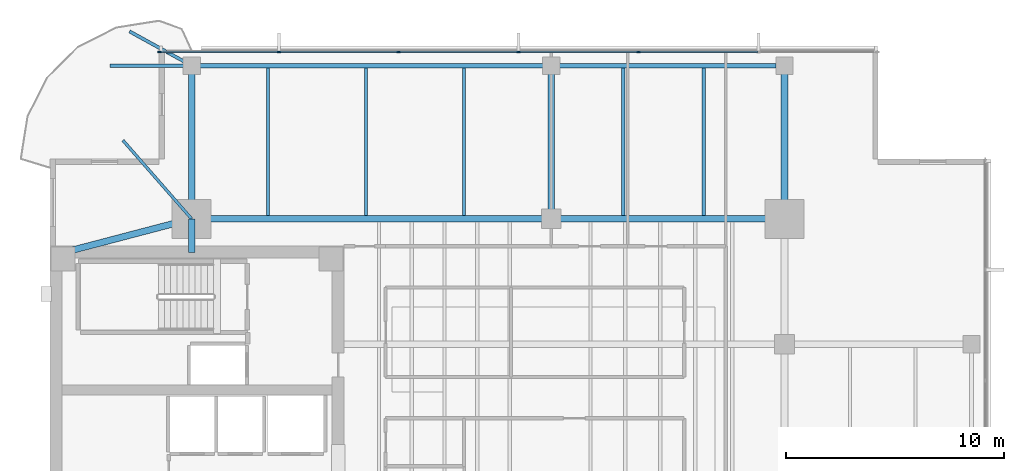
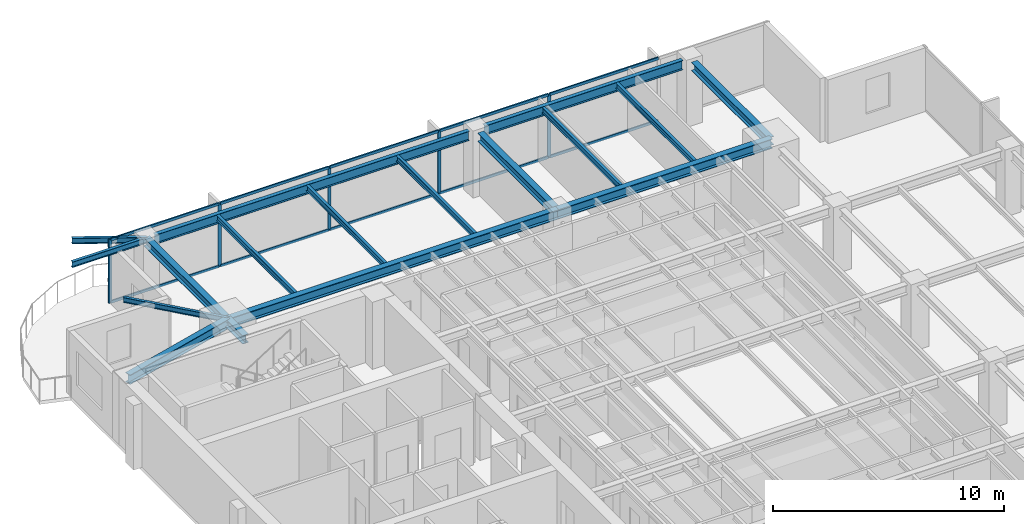
# One storey, part 5 of 14: 17 beams, 15 members, 1 element without a shape of its own.
"""IFC4 building model written with IfcOpenShell, lengths in metres."""

from ifc_helpers import new_model, si_unit, direction, frame, origin, origin_2d, place, context, subcontext, project, spatial, rectangle, i_section, extrude, material, layer, layer_set, material_profile, profile_set, type_object, element, aggregate, save


model = new_model("IFC4")

# Units and contexts
model_context = context("Model", 3, precision=1e-05, world=origin(), true_north=direction((0.0, 1.0)))
body_context = subcontext(model_context, "Body", "Model", "MODEL_VIEW")
ifc_project = project(units=[si_unit("LENGTHUNIT", "METRE"), si_unit("AREAUNIT", "SQUARE_METRE"), si_unit("VOLUMEUNIT", "CUBIC_METRE"), si_unit("PLANEANGLEUNIT", "RADIAN"), si_unit("MASSUNIT", "GRAM", prefix="KILO")], contexts=[model_context])

# Site, building, storey
site_placement = place(None, origin())
site = spatial("IfcSite", under=ifc_project, at=site_placement, CompositionType="ELEMENT")
building_placement = place(site_placement, origin())
building = spatial("IfcBuilding", under=site, at=building_placement, Name="Kinhvarn Gate Tower", CompositionType="ELEMENT")
storey_placement = place(building_placement, frame((0.0, 0.0, 234.199951171875)))
storey = spatial("IfcBuildingStorey", under=building, at=storey_placement, Name="L62", CompositionType="ELEMENT", Elevation=234.199951171875)

# Curtain wall, members
ifc_material_1 = material(Name="Anodised aluminium AW-6063", Category="aluminium")
ifc_layer = layer(ifc_material_1, 0.179931640625)
ifc_layer_set = layer_set([ifc_layer], Name="Anodised aluminium AW-6063")
curtain_wall_type = type_object("IfcCurtainWallType", Name="CW-SYS-3", PredefinedType="NOTDEFINED", material=ifc_layer_set)
curtain_wall_placement = place(storey_placement, origin())
curtain_wall = element("IfcCurtainWall", 1, at=curtain_wall_placement, inside=storey, type_object=curtain_wall_type, Name="Curtain Wall CW3 (L62)", PredefinedType="NOTDEFINED")
ifc_material_profile_1 = material_profile(ifc_material_1, rectangle(XDim=0.06494140625, YDim=0.159912109375, at=origin_2d()), Name="ALU 65x160")
ifc_profile_set_1 = profile_set([ifc_material_profile_1], Name="Anodised aluminium AW-6063")
member_type_1 = type_object("IfcMemberType", Name="CW-MUL-160", PredefinedType="MULLION", material=ifc_profile_set_1)
member_1_placement = place(storey_placement, frame((31.5, 45.409912109375, 0.0), z_axis=(0.0, 0.0, 1.0), x_axis=(0.0, -1.0, 0.0)))
member_1 = element("IfcMember", 2, at=member_1_placement, type_object=member_type_1, Name="CW3 mullion 3", PredefinedType="MULLION", context=body_context, shape_type="SweptSolid", body=[
    extrude(rectangle(XDim=0.06494140625, YDim=0.159912109375, at=origin_2d()), origin(), (0.0, 0.0, 1.0), 3.3701171875),
])
member_2_placement = place(storey_placement, frame((26.0, 45.409912109375, 0.0), z_axis=(0.0, 0.0, 1.0), x_axis=(0.0, -1.0, 0.0)))
member_2 = element("IfcMember", 3, at=member_2_placement, type_object=member_type_1, Name="CW3 mullion 4", PredefinedType="MULLION", context=body_context, shape_type="SweptSolid", body=[
    extrude(rectangle(XDim=0.06494140625, YDim=0.159912109375, at=origin_2d()), origin(), (0.0, 0.0, 1.0), 3.3701171875),
])
member_3_placement = place(storey_placement, frame((20.5, 45.409912109375, 0.0), z_axis=(0.0, 0.0, 1.0), x_axis=(0.0, -1.0, 0.0)))
member_3 = element("IfcMember", 4, at=member_3_placement, type_object=member_type_1, Name="CW3 mullion 5", PredefinedType="MULLION", context=body_context, shape_type="SweptSolid", body=[
    extrude(rectangle(XDim=0.06494140625, YDim=0.159912109375, at=origin_2d()), origin(), (0.0, 0.0, 1.0), 3.3701171875),
])
member_4_placement = place(storey_placement, frame((15.0, 45.409912109375, 0.0), z_axis=(0.0, 0.0, 1.0), x_axis=(0.0, -1.0, 0.0)))
member_4 = element("IfcMember", 5, at=member_4_placement, type_object=member_type_1, Name="CW3 mullion 6", PredefinedType="MULLION", context=body_context, shape_type="SweptSolid", body=[
    extrude(rectangle(XDim=0.06494140625, YDim=0.159912109375, at=origin_2d()), origin(), (0.0, 0.0, 1.0), 3.3701171875),
])
member_5_placement = place(storey_placement, frame((9.532470703125, 45.409912109375, 0.0), z_axis=(0.0, 0.0, 1.0), x_axis=(0.0, -1.0, 0.0)))
member_5 = element("IfcMember", 6, at=member_5_placement, type_object=member_type_1, Name="CW3 mullion 7", PredefinedType="MULLION", context=body_context, shape_type="SweptSolid", body=[
    extrude(rectangle(XDim=0.06494140625, YDim=0.159912109375, at=origin_2d()), origin(), (0.0, 0.0, 1.0), 3.3701171875),
])
ifc_material_profile_2 = material_profile(ifc_material_1, rectangle(XDim=0.070068359375, YDim=0.139892578125, at=origin_2d()), Name="ALU 70x140")
ifc_profile_set_2 = profile_set([ifc_material_profile_2], Name="Anodised aluminium AW-6063")
member_type_2 = type_object("IfcMemberType", Name="CW-TRN-140", PredefinedType="USERDEFINED", material=ifc_profile_set_2)
member_6_placement = place(storey_placement, frame((36.967529296875, 45.409912109375, 0.03515625), z_axis=(-1.0, 0.0, 0.0), x_axis=(0.0, -1.0, 0.0)))
member_6 = element("IfcMember", 7, at=member_6_placement, type_object=member_type_2, Name="CW3 transom 2.1", ObjectType="TRANSOM", PredefinedType="USERDEFINED", context=body_context, shape_type="SweptSolid", body=[
    extrude(rectangle(XDim=0.070068359375, YDim=0.139892578125, at=origin_2d()), origin(), (0.0, 0.0, 1.0), 5.43505859375),
])
member_7_placement = place(storey_placement, frame((36.967529296875, 45.409912109375, 3.3349609375), z_axis=(-1.0, 0.0, 0.0), x_axis=(0.0, -1.0, 0.0)))
member_7 = element("IfcMember", 8, at=member_7_placement, type_object=member_type_2, Name="CW3 transom 2.2", ObjectType="TRANSOM", PredefinedType="USERDEFINED", context=body_context, shape_type="SweptSolid", body=[
    extrude(rectangle(XDim=0.070068359375, YDim=0.139892578125, at=origin_2d()), origin(), (0.0, 0.0, 1.0), 5.43505859375),
])
member_8_placement = place(storey_placement, frame((31.467529296875, 45.409912109375, 0.03515625), z_axis=(-1.0, 0.0, 0.0), x_axis=(0.0, -1.0, 0.0)))
member_8 = element("IfcMember", 9, at=member_8_placement, type_object=member_type_2, Name="CW3 transom 3.1", ObjectType="TRANSOM", PredefinedType="USERDEFINED", context=body_context, shape_type="SweptSolid", body=[
    extrude(rectangle(XDim=0.070068359375, YDim=0.139892578125, at=origin_2d()), origin(), (0.0, 0.0, 1.0), 5.43505859375),
])
member_9_placement = place(storey_placement, frame((31.467529296875, 45.409912109375, 3.3349609375), z_axis=(-1.0, 0.0, 0.0), x_axis=(0.0, -1.0, 0.0)))
member_9 = element("IfcMember", 10, at=member_9_placement, type_object=member_type_2, Name="CW3 transom 3.2", ObjectType="TRANSOM", PredefinedType="USERDEFINED", context=body_context, shape_type="SweptSolid", body=[
    extrude(rectangle(XDim=0.070068359375, YDim=0.139892578125, at=origin_2d()), origin(), (0.0, 0.0, 1.0), 5.43505859375),
])
member_10_placement = place(storey_placement, frame((25.967529296875, 45.409912109375, 0.03515625), z_axis=(-1.0, 0.0, 0.0), x_axis=(0.0, -1.0, 0.0)))
member_10 = element("IfcMember", 11, at=member_10_placement, type_object=member_type_2, Name="CW3 transom 4.1", ObjectType="TRANSOM", PredefinedType="USERDEFINED", context=body_context, shape_type="SweptSolid", body=[
    extrude(rectangle(XDim=0.070068359375, YDim=0.139892578125, at=origin_2d()), origin(), (0.0, 0.0, 1.0), 5.43505859375),
])
member_11_placement = place(storey_placement, frame((25.967529296875, 45.409912109375, 3.3349609375), z_axis=(-1.0, 0.0, 0.0), x_axis=(0.0, -1.0, 0.0)))
member_11 = element("IfcMember", 12, at=member_11_placement, type_object=member_type_2, Name="CW3 transom 4.2", ObjectType="TRANSOM", PredefinedType="USERDEFINED", context=body_context, shape_type="SweptSolid", body=[
    extrude(rectangle(XDim=0.070068359375, YDim=0.139892578125, at=origin_2d()), origin(), (0.0, 0.0, 1.0), 5.43505859375),
])
member_12_placement = place(storey_placement, frame((20.467529296875, 45.409912109375, 0.03515625), z_axis=(-1.0, 0.0, 0.0), x_axis=(0.0, -1.0, 0.0)))
member_12 = element("IfcMember", 13, at=member_12_placement, type_object=member_type_2, Name="CW3 transom 5.1", ObjectType="TRANSOM", PredefinedType="USERDEFINED", context=body_context, shape_type="SweptSolid", body=[
    extrude(rectangle(XDim=0.070068359375, YDim=0.139892578125, at=origin_2d()), origin(), (0.0, 0.0, 1.0), 5.43505859375),
])
member_13_placement = place(storey_placement, frame((20.467529296875, 45.409912109375, 3.3349609375), z_axis=(-1.0, 0.0, 0.0), x_axis=(0.0, -1.0, 0.0)))
member_13 = element("IfcMember", 14, at=member_13_placement, type_object=member_type_2, Name="CW3 transom 5.2", ObjectType="TRANSOM", PredefinedType="USERDEFINED", context=body_context, shape_type="SweptSolid", body=[
    extrude(rectangle(XDim=0.070068359375, YDim=0.139892578125, at=origin_2d()), origin(), (0.0, 0.0, 1.0), 5.43505859375),
])
member_14_placement = place(storey_placement, frame((14.967529296875, 45.409912109375, 0.03515625), z_axis=(-1.0, 0.0, 0.0), x_axis=(0.0, -1.0, 0.0)))
member_14 = element("IfcMember", 15, at=member_14_placement, type_object=member_type_2, Name="CW3 transom 6.1", ObjectType="TRANSOM", PredefinedType="USERDEFINED", context=body_context, shape_type="SweptSolid", body=[
    extrude(rectangle(XDim=0.070068359375, YDim=0.139892578125, at=origin_2d()), origin(), (0.0, 0.0, 1.0), 5.402587890625),
])
member_15_placement = place(storey_placement, frame((14.967529296875, 45.409912109375, 3.3349609375), z_axis=(-1.0, 0.0, 0.0), x_axis=(0.0, -1.0, 0.0)))
member_15 = element("IfcMember", 16, at=member_15_placement, type_object=member_type_2, Name="CW3 transom 6.2", ObjectType="TRANSOM", PredefinedType="USERDEFINED", context=body_context, shape_type="SweptSolid", body=[
    extrude(rectangle(XDim=0.070068359375, YDim=0.139892578125, at=origin_2d()), origin(), (0.0, 0.0, 1.0), 5.402587890625),
])
aggregate(curtain_wall, [member_1, member_2, member_3, member_4, member_5, member_6, member_7, member_8, member_9, member_10, member_11, member_12, member_13, member_14, member_15])

# Beams
ifc_material_2 = material(Name="Steel S355", Category="steel")
ifc_material_profile_3 = material_profile(ifc_material_2, i_section(OverallWidth=0.300048828125, OverallDepth=0.449951171875, WebThickness=0.013916015625, FlangeThickness=0.02587890625, at=origin_2d()), Name="HEB 450")
ifc_profile_set_3 = profile_set([ifc_material_profile_3], Name="Steel S355")
beam_type_1 = type_object("IfcBeamType", Name="STL-HEB450", PredefinedType="BEAM", material=ifc_profile_set_3)
beam_1_placement = place(storey_placement, frame((11.0, 36.199951171875, 3.14501953125), z_axis=(0.0, 1.0, 0.0), x_axis=(-1.0, 0.0, 0.0)))
element("IfcBeam", 17, at=beam_1_placement, inside=storey, type_object=beam_type_1, Name="Floor Beam PG-13 (L62 MCW-CN)", PredefinedType="BEAM", context=body_context, shape_type="SweptSolid", body=[
    extrude(i_section(OverallWidth=0.300048828125, OverallDepth=0.449951171875, WebThickness=0.013916015625, FlangeThickness=0.02587890625, at=origin_2d()), origin(), (0.0, 0.0, 1.0), 1.550048828125),
])
beam_2_placement = place(storey_placement, frame((11.0, 37.75, 3.14501953125), z_axis=(0.0, 1.0, 0.0), x_axis=(-1.0, 0.0, 0.0)))
element("IfcBeam", 18, at=beam_2_placement, inside=storey, type_object=beam_type_1, Name="Floor Beam PG-13 (L62 MCW-N)", PredefinedType="BEAM", context=body_context, shape_type="SweptSolid", body=[
    extrude(i_section(OverallWidth=0.300048828125, OverallDepth=0.449951171875, WebThickness=0.013916015625, FlangeThickness=0.02587890625, at=origin_2d()), origin(), (0.0, 0.0, 1.0), 7.030029296875),
])
for number, where, z_axis, x_axis, name in (
    (19, (27.5, 37.75, 3.14501953125), (0.0, 1.0, 0.0), (-1.0, 0.0, 0.0), "Floor Beam PG-13 (L62 SP27-N-TIE)"),
    (20, (38.199951171875, 37.75, 3.14501953125), (0.0, 1.0, 0.0), (-1.0, 0.0, 0.0), "Floor Beam PG-13 (L62 MCE-N)"),
):
    element("IfcBeam", number, at=place(storey_placement, frame(where, z_axis=z_axis, x_axis=x_axis)), inside=storey, type_object=beam_type_1, Name=name, PredefinedType="BEAM", context=body_context, shape_type="SweptSolid", body=[
        extrude(i_section(OverallWidth=0.300048828125, OverallDepth=0.449951171875, WebThickness=0.013916015625, FlangeThickness=0.02587890625, at=origin_2d()), origin(), (0.0, 0.0, 1.0), 6.64501953125),
    ])
ifc_material_profile_4 = material_profile(ifc_material_2, i_section(OverallWidth=0.300048828125, OverallDepth=0.5, WebThickness=0.014404296875, FlangeThickness=0.028076171875, at=origin_2d()), Name="HEB 500")
ifc_profile_set_4 = profile_set([ifc_material_profile_4], Name="Steel S355")
beam_type_2 = type_object("IfcBeamType", Name="STL-HEB500", PredefinedType="BEAM", material=ifc_profile_set_4)
beam_3_placement = place(storey_placement, frame((11.0, 37.75, 3.1201171875), z_axis=(1.0, 0.0, 0.0), x_axis=(0.0, 1.0, 0.0)))
element("IfcBeam", 21, at=beam_3_placement, inside=storey, type_object=beam_type_2, Name="Floor Beam PG-14 (L62 MG-N1)", PredefinedType="BEAM", context=body_context, shape_type="SweptSolid", body=[
    extrude(i_section(OverallWidth=0.300048828125, OverallDepth=0.5, WebThickness=0.014404296875, FlangeThickness=0.028076171875, at=origin_2d()), origin(), (0.0, 0.0, 1.0), 16.5),
])
beam_4_placement = place(storey_placement, frame((27.5, 37.75, 3.1201171875), z_axis=(1.0, 0.0, 0.0), x_axis=(0.0, 1.0, 0.0)))
element("IfcBeam", 22, at=beam_4_placement, inside=storey, type_object=beam_type_2, Name="Floor Beam PG-14 (L62 MG-N2)", PredefinedType="BEAM", context=body_context, shape_type="SweptSolid", body=[
    extrude(i_section(OverallWidth=0.300048828125, OverallDepth=0.5, WebThickness=0.014404296875, FlangeThickness=0.028076171875, at=origin_2d()), origin(), (0.0, 0.0, 1.0), 10.699951171875),
])
beam_5_placement = place(storey_placement, frame((5.10009765625, 36.199951171875, 3.1201171875), z_axis=(0.967177623957, 0.254101246979, 0.0), x_axis=(-0.254101246979, 0.967177623957, 0.0)))
element("IfcBeam", 23, at=beam_5_placement, inside=storey, type_object=beam_type_2, Name="Floor Beam PG-14 (L62 MG-NW-DIAG)", PredefinedType="BEAM", context=body_context, shape_type="SweptSolid", body=[
    extrude(i_section(OverallWidth=0.300048828125, OverallDepth=0.5, WebThickness=0.014404296875, FlangeThickness=0.028076171875, at=origin_2d()), origin(), (0.0, 0.0, 1.0), 6.10009765625),
])
ifc_material_profile_5 = material_profile(ifc_material_2, i_section(OverallWidth=0.135009765625, OverallDepth=0.27001953125, WebThickness=0.006591796875, FlangeThickness=0.01025390625, at=origin_2d()), Name="IPE 270")
ifc_profile_set_5 = profile_set([ifc_material_profile_5], Name="Steel S355")
beam_type_3 = type_object("IfcBeamType", Name="STL-IPE270", PredefinedType="JOIST", material=ifc_profile_set_5)
beam_6_placement = place(storey_placement, frame((11.0, 37.75, 3.235107421875), z_axis=(-0.658482928045, 0.752595664001, 0.0), x_axis=(-0.752595664001, -0.658482928045, 0.0)))
element("IfcBeam", 24, at=beam_6_placement, inside=storey, type_object=beam_type_3, Name="Floor Joist SB-01 (L62 BAL-B3-L63)", PredefinedType="JOIST", context=body_context, shape_type="SweptSolid", body=[
    extrude(i_section(OverallWidth=0.135009765625, OverallDepth=0.27001953125, WebThickness=0.006591796875, FlangeThickness=0.01025390625, at=origin_2d()), origin(), (0.0, 0.0, 1.0), 4.78369140625),
])
ifc_material_profile_6 = material_profile(ifc_material_2, i_section(OverallWidth=0.14990234375, OverallDepth=0.300048828125, WebThickness=0.007080078125, FlangeThickness=0.0107421875, at=origin_2d()), Name="IPE 300")
ifc_profile_set_6 = profile_set([ifc_material_profile_6], Name="Steel S355")
beam_type_4 = type_object("IfcBeamType", Name="STL-IPE300", PredefinedType="JOIST", material=ifc_profile_set_6)
for number, where, z_axis, x_axis, name in (
    (25, (14.5, 37.89990234375, 3.219970703125), (0.0, 1.0, 0.0), (-1.0, 0.0, 0.0), "Floor Joist SB-02 (L62 JN-X145)"),
    (26, (19.0, 37.89990234375, 3.219970703125), (0.0, 1.0, 0.0), (-1.0, 0.0, 0.0), "Floor Joist SB-02 (L62 JN-X190)"),
    (27, (23.5, 37.89990234375, 3.219970703125), (0.0, 1.0, 0.0), (-1.0, 0.0, 0.0), "Floor Joist SB-02 (L62 JN-X235)"),
    (28, (30.800048828125, 37.89990234375, 3.219970703125), (0.0, 1.0, 0.0), (-1.0, 0.0, 0.0), "Floor Joist SB-02 (L62 JN-X308)"),
    (29, (34.5, 37.89990234375, 3.219970703125), (0.0, 1.0, 0.0), (-1.0, 0.0, 0.0), "Floor Joist SB-02 (L62 JN-X345)"),
):
    element("IfcBeam", number, at=place(storey_placement, frame(where, z_axis=z_axis, x_axis=x_axis)), inside=storey, type_object=beam_type_4, Name=name, PredefinedType="JOIST", context=body_context, shape_type="SweptSolid", body=[
        extrude(i_section(OverallWidth=0.14990234375, OverallDepth=0.300048828125, WebThickness=0.007080078125, FlangeThickness=0.0107421875, at=origin_2d()), origin(), (0.0, 0.0, 1.0), 6.780029296875),
    ])
beam_7_placement = place(storey_placement, frame((11.0, 44.780029296875, 3.219970703125), z_axis=(-1.0, 0.0, 0.0), x_axis=(0.0, -1.0, 0.0)))
element("IfcBeam", 30, at=beam_7_placement, inside=storey, type_object=beam_type_4, Name="Floor Joist SB-02 (L62 BAL-B1-L63)", PredefinedType="JOIST", context=body_context, shape_type="SweptSolid", body=[
    extrude(i_section(OverallWidth=0.14990234375, OverallDepth=0.300048828125, WebThickness=0.007080078125, FlangeThickness=0.0107421875, at=origin_2d()), origin(), (0.0, 0.0, 1.0), 3.75),
])
beam_8_placement = place(storey_placement, frame((11.0, 44.780029296875, 3.219970703125), z_axis=(-0.875889381738, 0.482511959394, 0.0), x_axis=(-0.482511959394, -0.875889381738, 0.0)))
element("IfcBeam", 31, at=beam_8_placement, inside=storey, type_object=beam_type_4, Name="Floor Joist SB-02 (L62 BAL-B2-L63)", PredefinedType="JOIST", context=body_context, shape_type="SweptSolid", body=[
    extrude(i_section(OverallWidth=0.14990234375, OverallDepth=0.300048828125, WebThickness=0.007080078125, FlangeThickness=0.0107421875, at=origin_2d()), origin(), (0.0, 0.0, 1.0), 3.25390625),
])
ifc_material_profile_7 = material_profile(ifc_material_2, i_section(OverallWidth=0.199951171875, OverallDepth=0.5, WebThickness=0.01025390625, FlangeThickness=0.01611328125, at=origin_2d()), Name="IPE 500")
ifc_profile_set_7 = profile_set([ifc_material_profile_7], Name="Steel S355")
beam_type_5 = type_object("IfcBeamType", Name="STL-IPE500", PredefinedType="SPANDREL", material=ifc_profile_set_7)
beam_9_placement = place(storey_placement, frame((11.385009765625, 44.780029296875, 3.1201171875), z_axis=(1.0, 0.0, 0.0), x_axis=(0.0, 1.0, 0.0)))
element("IfcBeam", 32, at=beam_9_placement, inside=storey, type_object=beam_type_5, Name="Floor Spandrel SB-07 (L62 SP-N1)", PredefinedType="SPANDREL", context=body_context, shape_type="SweptSolid", body=[
    extrude(i_section(OverallWidth=0.199951171875, OverallDepth=0.5, WebThickness=0.01025390625, FlangeThickness=0.01611328125, at=origin_2d()), origin(), (0.0, 0.0, 1.0), 15.72998046875),
])
beam_10_placement = place(storey_placement, frame((27.885009765625, 44.780029296875, 3.1201171875), z_axis=(1.0, 0.0, 0.0), x_axis=(0.0, 1.0, 0.0)))
element("IfcBeam", 33, at=beam_10_placement, inside=storey, type_object=beam_type_5, Name="Floor Spandrel SB-07 (L62 SP-N2)", PredefinedType="SPANDREL", context=body_context, shape_type="SweptSolid", body=[
    extrude(i_section(OverallWidth=0.199951171875, OverallDepth=0.5, WebThickness=0.01025390625, FlangeThickness=0.01611328125, at=origin_2d()), origin(), (0.0, 0.0, 1.0), 9.929931640625),
])

save(model, "model.ifc")
